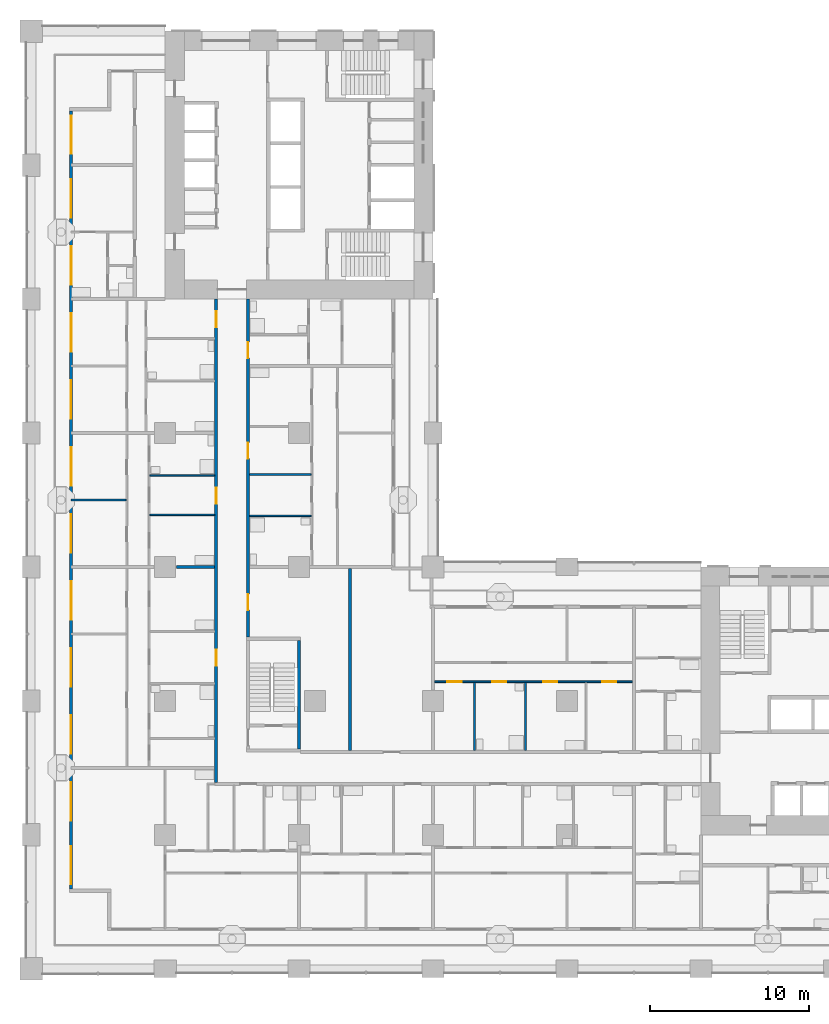
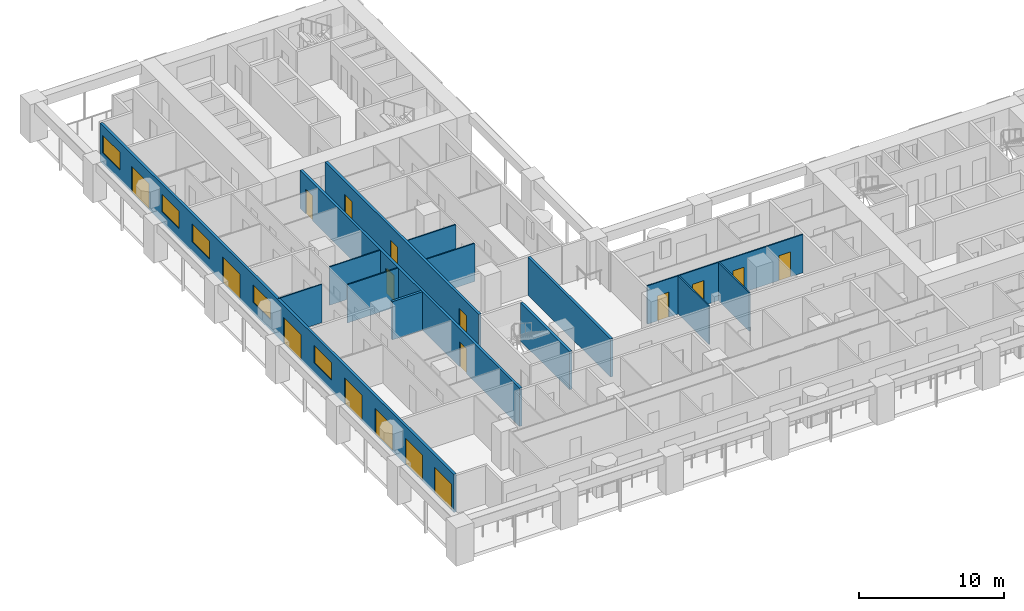
# One storey, part 4 of 22: 17 doors, 14 walls, 5 windows, 22 openings.
"""IFC4 building model written with IfcOpenShell, lengths in metres."""

from ifc_helpers import new_model, si_unit, direction, frame, frame_2d, origin, place, context, subcontext, project, spatial, rectangle, extrude, material, layer, layer_set, type_object, element, fill, save


model = new_model("IFC4")

# Units and contexts
model_context = context("Model", 3, precision=1e-05, world=origin(), true_north=direction((0.0, 1.0)))
body_context = subcontext(model_context, "Body", "Model", "MODEL_VIEW")
ifc_project = project(units=[si_unit("LENGTHUNIT", "METRE"), si_unit("AREAUNIT", "SQUARE_METRE"), si_unit("VOLUMEUNIT", "CUBIC_METRE"), si_unit("PLANEANGLEUNIT", "RADIAN"), si_unit("MASSUNIT", "GRAM", prefix="KILO")], contexts=[model_context])

# Site, building, storey
site_placement = place(None, origin())
site = spatial("IfcSite", under=ifc_project, at=site_placement, CompositionType="ELEMENT")
building_placement = place(site_placement, origin())
building = spatial("IfcBuilding", under=site, at=building_placement, Name="Vermilion Gate Residences", CompositionType="ELEMENT")
storey_placement = place(building_placement, frame((0.0, 0.0, 60.199951171875)))
storey = spatial("IfcBuildingStorey", under=building, at=storey_placement, Name="L14", CompositionType="ELEMENT", Elevation=60.199951171875)

# Wall, openings, doors, windows
ifc_material_1 = material(Name="Insulated steel stud wall with terracotta rainscreen", Category="masonry")
ifc_layer_1 = layer(ifc_material_1, 0.199951171875)
ifc_layer_set_1 = layer_set([ifc_layer_1], Name="EXTERNAL WALL 200 TERRACOTTA RAINSCREEN")
wall_type_1 = type_object("IfcWallType", Name="EXTERNAL WALL 200 TERRACOTTA RAINSCREEN", PredefinedType="SOLIDWALL", material=ifc_layer_set_1)
wall_1_placement = place(storey_placement, frame((2.5, 53.800048828125, 0.0), z_axis=(0.0, 0.0, 1.0), x_axis=(0.0, -1.0, 0.0)))
wall_1 = element("IfcWall", 1, at=wall_1_placement, inside=storey, type_object=wall_type_1, Name="External wall", PredefinedType="SOLIDWALL", context=body_context, shape_type="SweptSolid", body=[
    extrude(rectangle(XDim=48.800048828125, YDim=0.199951171875, at=frame_2d((24.39990234375, 0.0))), origin(), (0.0, 0.0, 1.0), 3.219970703125),
])
opening_1_placement = place(wall_1_placement, frame((46.10009765625, 0.0, 0.0)))
opening_1 = element("IfcOpeningElement", 2, at=opening_1_placement, cuts=wall_1, Name="Opening DE14002", PredefinedType="OPENING", context=body_context, shape_type="SweptSolid", body=[
    extrude(rectangle(XDim=2.39990234375, YDim=2.199951171875, at=frame_2d((1.199951171875, 1.10009765625))), frame((0.0, 0.10986328125, 0.0), z_axis=(0.0, -1.0, 0.0), x_axis=(1.0, 0.0, 0.0)), (0.0, 0.0, 1.0), 0.219970703125),
])
opening_2_placement = place(wall_1_placement, frame((42.10009765625, 0.0, 0.0)))
opening_2 = element("IfcOpeningElement", 3, at=opening_2_placement, cuts=wall_1, Name="Opening DE14003", PredefinedType="OPENING", context=body_context, shape_type="SweptSolid", body=[
    extrude(rectangle(XDim=2.39990234375, YDim=2.199951171875, at=frame_2d((1.199951171875, 1.10009765625))), frame((0.0, 0.10986328125, 0.0), z_axis=(0.0, -1.0, 0.0), x_axis=(1.0, 0.0, 0.0)), (0.0, 0.0, 1.0), 0.219970703125),
])
opening_3_placement = place(wall_1_placement, frame((37.89990234375, 0.0, 0.0)))
opening_3 = element("IfcOpeningElement", 4, at=opening_3_placement, cuts=wall_1, Name="Opening DE14004", PredefinedType="OPENING", context=body_context, shape_type="SweptSolid", body=[
    extrude(rectangle(XDim=2.39990234375, YDim=2.199951171875, at=frame_2d((1.199951171875, 1.10009765625))), frame((0.0, 0.10986328125, 0.0), z_axis=(0.0, -1.0, 0.0), x_axis=(1.0, 0.0, 0.0)), (0.0, 0.0, 1.0), 0.219970703125),
])
opening_4_placement = place(wall_1_placement, frame((33.699951171875, 0.0, 0.0)))
opening_4 = element("IfcOpeningElement", 5, at=opening_4_placement, cuts=wall_1, Name="Opening DE14005", PredefinedType="OPENING", context=body_context, shape_type="SweptSolid", body=[
    extrude(rectangle(XDim=2.39990234375, YDim=2.199951171875, at=frame_2d((1.199951171875, 1.10009765625))), frame((0.0, 0.10986328125, 0.0), z_axis=(0.0, -1.0, 0.0), x_axis=(1.0, 0.0, 0.0)), (0.0, 0.0, 1.0), 0.219970703125),
])
opening_5_placement = place(wall_1_placement, frame((29.5, 0.0, 0.89990234375)))
opening_5 = element("IfcOpeningElement", 6, at=opening_5_placement, cuts=wall_1, Name="Opening WE14006", PredefinedType="OPENING", context=body_context, shape_type="SweptSolid", body=[
    extrude(rectangle(XDim=2.39990234375, YDim=1.5, at=frame_2d((1.199951171875, 0.75))), frame((0.0, 0.10986328125, 0.0), z_axis=(0.0, -1.0, 0.0), x_axis=(1.0, 0.0, 0.0)), (0.0, 0.0, 1.0), 0.219970703125),
])
opening_6_placement = place(wall_1_placement, frame((25.300048828125, 0.0, 0.0)))
opening_6 = element("IfcOpeningElement", 7, at=opening_6_placement, cuts=wall_1, Name="Opening DE14007", PredefinedType="OPENING", context=body_context, shape_type="SweptSolid", body=[
    extrude(rectangle(XDim=2.39990234375, YDim=2.199951171875, at=frame_2d((1.199951171875, 1.10009765625))), frame((0.0, 0.10986328125, 0.0), z_axis=(0.0, -1.0, 0.0), x_axis=(1.0, 0.0, 0.0)), (0.0, 0.0, 1.0), 0.219970703125),
])
opening_7_placement = place(wall_1_placement, frame((21.10009765625, 0.0, 0.89990234375)))
opening_7 = element("IfcOpeningElement", 8, at=opening_7_placement, cuts=wall_1, Name="Opening WE14008", PredefinedType="OPENING", context=body_context, shape_type="SweptSolid", body=[
    extrude(rectangle(XDim=2.39990234375, YDim=1.5, at=frame_2d((1.199951171875, 0.75))), frame((0.0, 0.10986328125, 0.0), z_axis=(0.0, -1.0, 0.0), x_axis=(1.0, 0.0, 0.0)), (0.0, 0.0, 1.0), 0.219970703125),
])
opening_8_placement = place(wall_1_placement, frame((16.89990234375, 0.0, 0.0)))
opening_8 = element("IfcOpeningElement", 9, at=opening_8_placement, cuts=wall_1, Name="Opening DE14009", PredefinedType="OPENING", context=body_context, shape_type="SweptSolid", body=[
    extrude(rectangle(XDim=2.39990234375, YDim=2.199951171875, at=frame_2d((1.199951171875, 1.10009765625))), frame((0.0, 0.10986328125, 0.0), z_axis=(0.0, -1.0, 0.0), x_axis=(1.0, 0.0, 0.0)), (0.0, 0.0, 1.0), 0.219970703125),
])
opening_9_placement = place(wall_1_placement, frame((12.699951171875, 0.0, 0.89990234375)))
opening_9 = element("IfcOpeningElement", 10, at=opening_9_placement, cuts=wall_1, Name="Opening WE14010", PredefinedType="OPENING", context=body_context, shape_type="SweptSolid", body=[
    extrude(rectangle(XDim=2.39990234375, YDim=1.5, at=frame_2d((1.199951171875, 0.75))), frame((0.0, 0.10986328125, 0.0), z_axis=(0.0, -1.0, 0.0), x_axis=(1.0, 0.0, 0.0)), (0.0, 0.0, 1.0), 0.219970703125),
])
opening_10_placement = place(wall_1_placement, frame((8.5, 0.0, 0.89990234375)))
opening_10 = element("IfcOpeningElement", 11, at=opening_10_placement, cuts=wall_1, Name="Opening WE14011", PredefinedType="OPENING", context=body_context, shape_type="SweptSolid", body=[
    extrude(rectangle(XDim=2.39990234375, YDim=1.5, at=frame_2d((1.199951171875, 0.75))), frame((0.0, 0.10986328125, 0.0), z_axis=(0.0, -1.0, 0.0), x_axis=(1.0, 0.0, 0.0)), (0.0, 0.0, 1.0), 0.219970703125),
])
opening_11_placement = place(wall_1_placement, frame((4.300048828125, 0.0, 0.0)))
opening_11 = element("IfcOpeningElement", 12, at=opening_11_placement, cuts=wall_1, Name="Opening DE14012", PredefinedType="OPENING", context=body_context, shape_type="SweptSolid", body=[
    extrude(rectangle(XDim=2.39990234375, YDim=2.199951171875, at=frame_2d((1.199951171875, 1.10009765625))), frame((0.0, 0.10986328125, 0.0), z_axis=(0.0, -1.0, 0.0), x_axis=(1.0, 0.0, 0.0)), (0.0, 0.0, 1.0), 0.219970703125),
])
opening_12_placement = place(wall_1_placement, frame((0.300048828125, 0.0, 0.89990234375)))
opening_12 = element("IfcOpeningElement", 13, at=opening_12_placement, cuts=wall_1, Name="Opening WE14013", PredefinedType="OPENING", context=body_context, shape_type="SweptSolid", body=[
    extrude(rectangle(XDim=2.39990234375, YDim=1.5, at=frame_2d((1.199951171875, 0.75))), frame((0.0, 0.10986328125, 0.0), z_axis=(0.0, -1.0, 0.0), x_axis=(1.0, 0.0, 0.0)), (0.0, 0.0, 1.0), 0.219970703125),
])
ifc_material_2 = material(Name="Aluminium and clear glass", Category="aluminium")
door_type_1 = type_object("IfcDoorType", Name="SLIDING GLAZED DOOR 2400 X 2200", OperationType="DOUBLE_DOOR_SLIDING", PredefinedType="DOOR", material=ifc_material_2)
door_1_placement = place(opening_1_placement, origin())
door_1 = element("IfcDoor", 14, at=door_1_placement, inside=storey, type_object=door_type_1, Name="Loggia sliding door", OperationType="DOUBLE_DOOR_SLIDING", OverallHeight=2.199951171875, OverallWidth=2.39990234375, PredefinedType="DOOR", context=body_context, shape_type="SweptSolid", body=[
    extrude(rectangle(XDim=2.39990234375, YDim=2.199951171875, at=frame_2d((1.199951171875, 1.10009765625))), frame((0.0, 0.02490234375, 0.0), z_axis=(0.0, -1.0, 0.0), x_axis=(1.0, 0.0, 0.0)), (0.0, 0.0, 1.0), 0.050048828125),
])
fill(opening_1, door_1)
door_2_placement = place(opening_2_placement, origin())
door_2 = element("IfcDoor", 15, at=door_2_placement, inside=storey, type_object=door_type_1, Name="Loggia sliding door", OperationType="DOUBLE_DOOR_SLIDING", OverallHeight=2.199951171875, OverallWidth=2.39990234375, PredefinedType="DOOR", context=body_context, shape_type="SweptSolid", body=[
    extrude(rectangle(XDim=2.39990234375, YDim=2.199951171875, at=frame_2d((1.199951171875, 1.10009765625))), frame((0.0, 0.02490234375, 0.0), z_axis=(0.0, -1.0, 0.0), x_axis=(1.0, 0.0, 0.0)), (0.0, 0.0, 1.0), 0.050048828125),
])
fill(opening_2, door_2)
door_3_placement = place(opening_3_placement, origin())
door_3 = element("IfcDoor", 16, at=door_3_placement, inside=storey, type_object=door_type_1, Name="Loggia sliding door", OperationType="DOUBLE_DOOR_SLIDING", OverallHeight=2.199951171875, OverallWidth=2.39990234375, PredefinedType="DOOR", context=body_context, shape_type="SweptSolid", body=[
    extrude(rectangle(XDim=2.39990234375, YDim=2.199951171875, at=frame_2d((1.199951171875, 1.10009765625))), frame((0.0, 0.02490234375, 0.0), z_axis=(0.0, -1.0, 0.0), x_axis=(1.0, 0.0, 0.0)), (0.0, 0.0, 1.0), 0.050048828125),
])
fill(opening_3, door_3)
door_4_placement = place(opening_4_placement, origin())
door_4 = element("IfcDoor", 17, at=door_4_placement, inside=storey, type_object=door_type_1, Name="Loggia sliding door", OperationType="DOUBLE_DOOR_SLIDING", OverallHeight=2.199951171875, OverallWidth=2.39990234375, PredefinedType="DOOR", context=body_context, shape_type="SweptSolid", body=[
    extrude(rectangle(XDim=2.39990234375, YDim=2.199951171875, at=frame_2d((1.199951171875, 1.10009765625))), frame((0.0, 0.02490234375, 0.0), z_axis=(0.0, -1.0, 0.0), x_axis=(1.0, 0.0, 0.0)), (0.0, 0.0, 1.0), 0.050048828125),
])
fill(opening_4, door_4)
door_5_placement = place(opening_6_placement, origin())
door_5 = element("IfcDoor", 18, at=door_5_placement, inside=storey, type_object=door_type_1, Name="Loggia sliding door", OperationType="DOUBLE_DOOR_SLIDING", OverallHeight=2.199951171875, OverallWidth=2.39990234375, PredefinedType="DOOR", context=body_context, shape_type="SweptSolid", body=[
    extrude(rectangle(XDim=2.39990234375, YDim=2.199951171875, at=frame_2d((1.199951171875, 1.10009765625))), frame((0.0, 0.02490234375, 0.0), z_axis=(0.0, -1.0, 0.0), x_axis=(1.0, 0.0, 0.0)), (0.0, 0.0, 1.0), 0.050048828125),
])
fill(opening_6, door_5)
door_6_placement = place(opening_8_placement, origin())
door_6 = element("IfcDoor", 19, at=door_6_placement, inside=storey, type_object=door_type_1, Name="Loggia sliding door", OperationType="DOUBLE_DOOR_SLIDING", OverallHeight=2.199951171875, OverallWidth=2.39990234375, PredefinedType="DOOR", context=body_context, shape_type="SweptSolid", body=[
    extrude(rectangle(XDim=2.39990234375, YDim=2.199951171875, at=frame_2d((1.199951171875, 1.10009765625))), frame((0.0, 0.02490234375, 0.0), z_axis=(0.0, -1.0, 0.0), x_axis=(1.0, 0.0, 0.0)), (0.0, 0.0, 1.0), 0.050048828125),
])
fill(opening_8, door_6)
door_7_placement = place(opening_11_placement, origin())
door_7 = element("IfcDoor", 20, at=door_7_placement, inside=storey, type_object=door_type_1, Name="Loggia sliding door", OperationType="DOUBLE_DOOR_SLIDING", OverallHeight=2.199951171875, OverallWidth=2.39990234375, PredefinedType="DOOR", context=body_context, shape_type="SweptSolid", body=[
    extrude(rectangle(XDim=2.39990234375, YDim=2.199951171875, at=frame_2d((1.199951171875, 1.10009765625))), frame((0.0, 0.02490234375, 0.0), z_axis=(0.0, -1.0, 0.0), x_axis=(1.0, 0.0, 0.0)), (0.0, 0.0, 1.0), 0.050048828125),
])
fill(opening_11, door_7)
ifc_material_3 = material(Name="Aluminium and clear glass", Category="aluminium")
window_type = type_object("IfcWindowType", Name="WINDOW 2400 X 1500", PartitioningType="SINGLE_PANEL", PredefinedType="WINDOW", material=ifc_material_3)
window_1_placement = place(opening_5_placement, origin())
window_1 = element("IfcWindow", 21, at=window_1_placement, inside=storey, type_object=window_type, Name="Window", OverallHeight=1.5, OverallWidth=2.39990234375, PartitioningType="SINGLE_PANEL", PredefinedType="WINDOW", context=body_context, shape_type="SweptSolid", body=[
    extrude(rectangle(XDim=2.39990234375, YDim=1.5, at=frame_2d((1.199951171875, 0.75))), frame((0.0, 0.030029296875, 0.0), z_axis=(0.0, -1.0, 0.0), x_axis=(1.0, 0.0, 0.0)), (0.0, 0.0, 1.0), 0.06005859375),
])
fill(opening_5, window_1)
window_2_placement = place(opening_7_placement, origin())
window_2 = element("IfcWindow", 22, at=window_2_placement, inside=storey, type_object=window_type, Name="Window", OverallHeight=1.5, OverallWidth=2.39990234375, PartitioningType="SINGLE_PANEL", PredefinedType="WINDOW", context=body_context, shape_type="SweptSolid", body=[
    extrude(rectangle(XDim=2.39990234375, YDim=1.5, at=frame_2d((1.199951171875, 0.75))), frame((0.0, 0.030029296875, 0.0), z_axis=(0.0, -1.0, 0.0), x_axis=(1.0, 0.0, 0.0)), (0.0, 0.0, 1.0), 0.06005859375),
])
fill(opening_7, window_2)
window_3_placement = place(opening_9_placement, origin())
window_3 = element("IfcWindow", 23, at=window_3_placement, inside=storey, type_object=window_type, Name="Window", OverallHeight=1.5, OverallWidth=2.39990234375, PartitioningType="SINGLE_PANEL", PredefinedType="WINDOW", context=body_context, shape_type="SweptSolid", body=[
    extrude(rectangle(XDim=2.39990234375, YDim=1.5, at=frame_2d((1.199951171875, 0.75))), frame((0.0, 0.030029296875, 0.0), z_axis=(0.0, -1.0, 0.0), x_axis=(1.0, 0.0, 0.0)), (0.0, 0.0, 1.0), 0.06005859375),
])
fill(opening_9, window_3)
window_4_placement = place(opening_10_placement, origin())
window_4 = element("IfcWindow", 24, at=window_4_placement, inside=storey, type_object=window_type, Name="Window", OverallHeight=1.5, OverallWidth=2.39990234375, PartitioningType="SINGLE_PANEL", PredefinedType="WINDOW", context=body_context, shape_type="SweptSolid", body=[
    extrude(rectangle(XDim=2.39990234375, YDim=1.5, at=frame_2d((1.199951171875, 0.75))), frame((0.0, 0.030029296875, 0.0), z_axis=(0.0, -1.0, 0.0), x_axis=(1.0, 0.0, 0.0)), (0.0, 0.0, 1.0), 0.06005859375),
])
fill(opening_10, window_4)
window_5_placement = place(opening_12_placement, origin())
window_5 = element("IfcWindow", 25, at=window_5_placement, inside=storey, type_object=window_type, Name="Window", OverallHeight=1.5, OverallWidth=2.39990234375, PartitioningType="SINGLE_PANEL", PredefinedType="WINDOW", context=body_context, shape_type="SweptSolid", body=[
    extrude(rectangle(XDim=2.39990234375, YDim=1.5, at=frame_2d((1.199951171875, 0.75))), frame((0.0, 0.030029296875, 0.0), z_axis=(0.0, -1.0, 0.0), x_axis=(1.0, 0.0, 0.0)), (0.0, 0.0, 1.0), 0.06005859375),
])
fill(opening_12, window_5)

# Wall, openings, doors
ifc_material_4 = material(Name="Plasterboard on steel studs", Category="steel")
ifc_layer_2 = layer(ifc_material_4, 0.10009765625)
ifc_layer_set_2 = layer_set([ifc_layer_2], Name="PARTITION 100")
wall_type_2 = type_object("IfcWallType", Name="PARTITION 100", PredefinedType="PARTITIONING", material=ifc_layer_set_2)
wall_2_placement = place(storey_placement, frame((25.300048828125, 18.0, 0.0), z_axis=(0.0, 0.0, 1.0), x_axis=(1.0, 0.0, 0.0)))
wall_2 = element("IfcWall", 26, at=wall_2_placement, inside=storey, type_object=wall_type_2, Name="Partition", PredefinedType="PARTITIONING", context=body_context, shape_type="SweptSolid", body=[
    extrude(rectangle(XDim=12.39990234375, YDim=0.10009765625, at=frame_2d((6.199951171875, 0.0))), origin(), (0.0, 0.0, 1.0), 3.219970703125),
])
opening_13_placement = place(wall_2_placement, frame((10.5, 0.0, 0.0)))
opening_13 = element("IfcOpeningElement", 27, at=opening_13_placement, cuts=wall_2, Name="Opening DA13037", PredefinedType="OPENING", context=body_context, shape_type="SweptSolid", body=[
    extrude(rectangle(XDim=0.89990234375, YDim=2.10009765625, at=frame_2d((0.449951171875, 1.050048828125))), frame((0.0, 0.06005859375, 0.0), z_axis=(0.0, -1.0, 0.0), x_axis=(1.0, 0.0, 0.0)), (0.0, 0.0, 1.0), 0.1201171875),
])
opening_14_placement = place(wall_2_placement, frame((0.800048828125, 0.0, 0.0)))
opening_14 = element("IfcOpeningElement", 28, at=opening_14_placement, cuts=wall_2, Name="Opening DA13038", PredefinedType="OPENING", context=body_context, shape_type="SweptSolid", body=[
    extrude(rectangle(XDim=0.89990234375, YDim=2.10009765625, at=frame_2d((0.449951171875, 1.050048828125))), frame((0.0, 0.06005859375, 0.0), z_axis=(0.0, -1.0, 0.0), x_axis=(1.0, 0.0, 0.0)), (0.0, 0.0, 1.0), 0.1201171875),
])
opening_15_placement = place(wall_2_placement, frame((3.60009765625, 0.0, 0.0)))
opening_15 = element("IfcOpeningElement", 29, at=opening_15_placement, cuts=wall_2, Name="Opening DA13039", PredefinedType="OPENING", context=body_context, shape_type="SweptSolid", body=[
    extrude(rectangle(XDim=0.89990234375, YDim=2.10009765625, at=frame_2d((0.449951171875, 1.050048828125))), frame((0.0, 0.06005859375, 0.0), z_axis=(0.0, -1.0, 0.0), x_axis=(1.0, 0.0, 0.0)), (0.0, 0.0, 1.0), 0.1201171875),
])
opening_16_placement = place(wall_2_placement, frame((6.800048828125, 0.0, 0.0)))
opening_16 = element("IfcOpeningElement", 30, at=opening_16_placement, cuts=wall_2, Name="Opening DA13040", PredefinedType="OPENING", context=body_context, shape_type="SweptSolid", body=[
    extrude(rectangle(XDim=0.89990234375, YDim=2.10009765625, at=frame_2d((0.449951171875, 1.050048828125))), frame((0.0, 0.06005859375, 0.0), z_axis=(0.0, -1.0, 0.0), x_axis=(1.0, 0.0, 0.0)), (0.0, 0.0, 1.0), 0.1201171875),
])
ifc_material_5 = material(Name="Timber", Category="wood")
door_type_2 = type_object("IfcDoorType", Name="INTERIOR DOOR 900 X 2100", OperationType="SINGLE_SWING_LEFT", PredefinedType="DOOR", material=ifc_material_5)
door_8_placement = place(opening_13_placement, frame((0.89990234375, 0.0, 0.0), z_axis=(0.0, 0.0, 1.0), x_axis=(-1.0, 0.0, 0.0)))
door_8 = element("IfcDoor", 31, at=door_8_placement, inside=storey, type_object=door_type_2, Name="Interior door", OperationType="SINGLE_SWING_RIGHT", OverallHeight=2.10009765625, OverallWidth=0.89990234375, PredefinedType="DOOR", context=body_context, shape_type="SweptSolid", body=[
    extrude(rectangle(XDim=0.89990234375, YDim=2.10009765625, at=frame_2d((0.449951171875, 1.050048828125))), frame((0.0, 0.02490234375, 0.0), z_axis=(0.0, -1.0, 0.0), x_axis=(1.0, 0.0, 0.0)), (0.0, 0.0, 1.0), 0.050048828125),
])
fill(opening_13, door_8)
door_9_placement = place(opening_14_placement, frame((0.89990234375, 0.0, 0.0), z_axis=(0.0, 0.0, 1.0), x_axis=(-1.0, 0.0, 0.0)))
door_9 = element("IfcDoor", 32, at=door_9_placement, inside=storey, type_object=door_type_2, Name="Interior door", OperationType="SINGLE_SWING_LEFT", OverallHeight=2.10009765625, OverallWidth=0.89990234375, PredefinedType="DOOR", context=body_context, shape_type="SweptSolid", body=[
    extrude(rectangle(XDim=0.89990234375, YDim=2.10009765625, at=frame_2d((0.449951171875, 1.050048828125))), frame((0.0, 0.02490234375, 0.0), z_axis=(0.0, -1.0, 0.0), x_axis=(1.0, 0.0, 0.0)), (0.0, 0.0, 1.0), 0.050048828125),
])
fill(opening_14, door_9)
door_10_placement = place(opening_15_placement, frame((0.89990234375, 0.0, 0.0), z_axis=(0.0, 0.0, 1.0), x_axis=(-1.0, 0.0, 0.0)))
door_10 = element("IfcDoor", 33, at=door_10_placement, inside=storey, type_object=door_type_2, Name="Interior door", OperationType="SINGLE_SWING_LEFT", OverallHeight=2.10009765625, OverallWidth=0.89990234375, PredefinedType="DOOR", context=body_context, shape_type="SweptSolid", body=[
    extrude(rectangle(XDim=0.89990234375, YDim=2.10009765625, at=frame_2d((0.449951171875, 1.050048828125))), frame((0.0, 0.02490234375, 0.0), z_axis=(0.0, -1.0, 0.0), x_axis=(1.0, 0.0, 0.0)), (0.0, 0.0, 1.0), 0.050048828125),
])
fill(opening_15, door_10)
door_11_placement = place(opening_16_placement, frame((0.89990234375, 0.0, 0.0), z_axis=(0.0, 0.0, 1.0), x_axis=(-1.0, 0.0, 0.0)))
door_11 = element("IfcDoor", 34, at=door_11_placement, inside=storey, type_object=door_type_2, Name="Interior door", OperationType="SINGLE_SWING_RIGHT", OverallHeight=2.10009765625, OverallWidth=0.89990234375, PredefinedType="DOOR", context=body_context, shape_type="SweptSolid", body=[
    extrude(rectangle(XDim=0.89990234375, YDim=2.10009765625, at=frame_2d((0.449951171875, 1.050048828125))), frame((0.0, 0.02490234375, 0.0), z_axis=(0.0, -1.0, 0.0), x_axis=(1.0, 0.0, 0.0)), (0.0, 0.0, 1.0), 0.050048828125),
])
fill(opening_16, door_11)

# Walls
wall_3_placement = place(storey_placement, frame((13.699951171875, 28.39990234375, 0.0), z_axis=(0.0, 0.0, 1.0), x_axis=(1.0, 0.0, 0.0)))
element("IfcWall", 35, at=wall_3_placement, inside=storey, type_object=wall_type_2, Name="Partition", PredefinedType="PARTITIONING", context=body_context, shape_type="SweptSolid", body=[
    extrude(rectangle(XDim=3.85009765625, YDim=0.10009765625, at=frame_2d((1.925048828125, 0.0))), origin(), (0.0, 0.0, 1.0), 3.219970703125),
])
wall_4_placement = place(storey_placement, frame((7.449951171875, 28.467041015625, 0.0), z_axis=(0.0, 0.0, 1.0), x_axis=(1.0, 0.0, 0.0)))
element("IfcWall", 36, at=wall_4_placement, inside=storey, type_object=wall_type_2, Name="Partition", PredefinedType="PARTITIONING", context=body_context, shape_type="SweptSolid", body=[
    extrude(rectangle(XDim=4.050048828125, YDim=0.10009765625, at=frame_2d((2.02490234375, 0.0))), origin(), (0.0, 0.0, 1.0), 3.219970703125),
])
wall_5_placement = place(storey_placement, frame((2.5, 29.39990234375, 0.0), z_axis=(0.0, 0.0, 1.0), x_axis=(1.0, 0.0, 0.0)))
element("IfcWall", 37, at=wall_5_placement, inside=storey, type_object=wall_type_2, Name="Partition", PredefinedType="PARTITIONING", context=body_context, shape_type="SweptSolid", body=[
    extrude(rectangle(XDim=3.449951171875, YDim=0.10009765625, at=frame_2d((1.72509765625, 0.0))), origin(), (0.0, 0.0, 1.0), 3.219970703125),
])
wall_6_placement = place(storey_placement, frame((7.449951171875, 30.93310546875, 0.0), z_axis=(0.0, 0.0, 1.0), x_axis=(1.0, 0.0, 0.0)))
element("IfcWall", 38, at=wall_6_placement, inside=storey, type_object=wall_type_2, Name="Partition", PredefinedType="PARTITIONING", context=body_context, shape_type="SweptSolid", body=[
    extrude(rectangle(XDim=4.050048828125, YDim=0.10009765625, at=frame_2d((2.02490234375, 0.0))), origin(), (0.0, 0.0, 1.0), 3.219970703125),
])
wall_7_placement = place(storey_placement, frame((13.699951171875, 31.0, 0.0), z_axis=(0.0, 0.0, 1.0), x_axis=(1.0, 0.0, 0.0)))
element("IfcWall", 39, at=wall_7_placement, inside=storey, type_object=wall_type_2, Name="Partition", PredefinedType="PARTITIONING", context=body_context, shape_type="SweptSolid", body=[
    extrude(rectangle(XDim=3.85009765625, YDim=0.10009765625, at=frame_2d((1.925048828125, 0.0))), origin(), (0.0, 0.0, 1.0), 3.219970703125),
])
for number, where, z_axis, x_axis, name in (
    (40, (27.800048828125, 13.699951171875, 0.0), (0.0, 0.0, 1.0), (0.0, 1.0, 0.0), "Partition"),
    (41, (31.0, 13.699951171875, 0.0), (0.0, 0.0, 1.0), (0.0, 1.0, 0.0), "Partition"),
):
    element("IfcWall", number, at=place(storey_placement, frame(where, z_axis=z_axis, x_axis=x_axis)), inside=storey, type_object=wall_type_2, Name=name, PredefinedType="PARTITIONING", context=body_context, shape_type="SweptSolid", body=[
        extrude(rectangle(XDim=4.25, YDim=0.10009765625, at=frame_2d((2.125, 0.0))), origin(), (0.0, 0.0, 1.0), 3.219970703125),
    ])
ifc_material_6 = material(Name="Fire-rated plasterboard on steel studs", Category="steel")
ifc_layer_3 = layer(ifc_material_6, 0.199951171875)
ifc_layer_set_3 = layer_set([ifc_layer_3], Name="PARTY WALL 200 EI 120")
wall_type_3 = type_object("IfcWallType", Name="PARTY WALL 200 EI 120", PredefinedType="PARTITIONING", material=ifc_layer_set_3)
wall_8_placement = place(storey_placement, frame((9.10009765625, 25.199951171875, 0.0), z_axis=(0.0, 0.0, 1.0), x_axis=(1.0, 0.0, 0.0)))
element("IfcWall", 42, at=wall_8_placement, inside=storey, type_object=wall_type_3, Name="Party and corridor wall", PredefinedType="PARTITIONING", context=body_context, shape_type="SweptSolid", body=[
    extrude(rectangle(XDim=2.39990234375, YDim=0.199951171875, at=frame_2d((1.199951171875, 0.0))), origin(), (0.0, 0.0, 1.0), 3.219970703125),
])

# Wall, openings, doors
wall_9_placement = place(storey_placement, frame((11.60009765625, 11.699951171875, 0.0), z_axis=(0.0, 0.0, 1.0), x_axis=(0.0, 1.0, 0.0)))
wall_9 = element("IfcWall", 43, at=wall_9_placement, inside=storey, type_object=wall_type_3, Name="Party and corridor wall", PredefinedType="PARTITIONING", context=body_context, shape_type="SweptSolid", body=[
    extrude(rectangle(XDim=30.300048828125, YDim=0.199951171875, at=frame_2d((15.14990234375, 0.0))), origin(), (0.0, 0.0, 1.0), 3.219970703125),
])
opening_17_placement = place(wall_9_placement, frame((7.300048828125, 0.0, 0.0)))
opening_17 = element("IfcOpeningElement", 44, at=opening_17_placement, cuts=wall_9, Name="Opening DA13066", PredefinedType="OPENING", context=body_context, shape_type="SweptSolid", body=[
    extrude(rectangle(XDim=1.0, YDim=2.10009765625, at=frame_2d((0.5, 1.050048828125))), frame((0.0, 0.10986328125, 0.0), z_axis=(0.0, -1.0, 0.0), x_axis=(1.0, 0.0, 0.0)), (0.0, 0.0, 1.0), 0.219970703125),
])
opening_18_placement = place(wall_9_placement, frame((17.467041015625, 0.0, 0.0)))
opening_18 = element("IfcOpeningElement", 45, at=opening_18_placement, cuts=wall_9, Name="Opening DA13067", PredefinedType="OPENING", context=body_context, shape_type="SweptSolid", body=[
    extrude(rectangle(XDim=1.0, YDim=2.10009765625, at=frame_2d((0.5, 1.050048828125))), frame((0.0, 0.10986328125, 0.0), z_axis=(0.0, -1.0, 0.0), x_axis=(1.0, 0.0, 0.0)), (0.0, 0.0, 1.0), 0.219970703125),
])
opening_19_placement = place(wall_9_placement, frame((28.532958984375, 0.0, 0.0)))
opening_19 = element("IfcOpeningElement", 46, at=opening_19_placement, cuts=wall_9, Name="Opening DA13068", PredefinedType="OPENING", context=body_context, shape_type="SweptSolid", body=[
    extrude(rectangle(XDim=1.0, YDim=2.10009765625, at=frame_2d((0.5, 1.050048828125))), frame((0.0, 0.10986328125, 0.0), z_axis=(0.0, -1.0, 0.0), x_axis=(1.0, 0.0, 0.0)), (0.0, 0.0, 1.0), 0.219970703125),
])
ifc_material_7 = material(Name="Steel", Category="steel")
door_type_3 = type_object("IfcDoorType", Name="ENTRANCE DOOR 1000 X 2100 FD30", OperationType="SINGLE_SWING_LEFT", PredefinedType="DOOR", material=ifc_material_7)
door_12_placement = place(opening_17_placement, origin())
door_12 = element("IfcDoor", 47, at=door_12_placement, inside=storey, type_object=door_type_3, Name="Entrance door", OperationType="SINGLE_SWING_LEFT", OverallHeight=2.10009765625, OverallWidth=1.0, PredefinedType="DOOR", context=body_context, shape_type="SweptSolid", body=[
    extrude(rectangle(XDim=1.0, YDim=2.10009765625, at=frame_2d((0.5, 1.050048828125))), frame((0.0, 0.02490234375, 0.0), z_axis=(0.0, -1.0, 0.0), x_axis=(1.0, 0.0, 0.0)), (0.0, 0.0, 1.0), 0.050048828125),
])
fill(opening_17, door_12)
door_13_placement = place(opening_18_placement, origin())
door_13 = element("IfcDoor", 48, at=door_13_placement, inside=storey, type_object=door_type_3, Name="Entrance door", OperationType="SINGLE_SWING_LEFT", OverallHeight=2.10009765625, OverallWidth=1.0, PredefinedType="DOOR", context=body_context, shape_type="SweptSolid", body=[
    extrude(rectangle(XDim=1.0, YDim=2.10009765625, at=frame_2d((0.5, 1.050048828125))), frame((0.0, 0.02490234375, 0.0), z_axis=(0.0, -1.0, 0.0), x_axis=(1.0, 0.0, 0.0)), (0.0, 0.0, 1.0), 0.050048828125),
])
fill(opening_18, door_13)
door_14_placement = place(opening_19_placement, origin())
door_14 = element("IfcDoor", 49, at=door_14_placement, inside=storey, type_object=door_type_3, Name="Entrance door", OperationType="SINGLE_SWING_LEFT", OverallHeight=2.10009765625, OverallWidth=1.0, PredefinedType="DOOR", context=body_context, shape_type="SweptSolid", body=[
    extrude(rectangle(XDim=1.0, YDim=2.10009765625, at=frame_2d((0.5, 1.050048828125))), frame((0.0, 0.02490234375, 0.0), z_axis=(0.0, -1.0, 0.0), x_axis=(1.0, 0.0, 0.0)), (0.0, 0.0, 1.0), 0.050048828125),
])
fill(opening_19, door_14)

wall_10_placement = place(storey_placement, frame((13.60009765625, 20.800048828125, 0.0), z_axis=(0.0, 0.0, 1.0), x_axis=(0.0, 1.0, 0.0)))
wall_10 = element("IfcWall", 50, at=wall_10_placement, inside=storey, type_object=wall_type_3, Name="Party and corridor wall", PredefinedType="PARTITIONING", context=body_context, shape_type="SweptSolid", body=[
    extrude(rectangle(XDim=21.199951171875, YDim=0.199951171875, at=frame_2d((10.60009765625, 0.0))), origin(), (0.0, 0.0, 1.0), 3.219970703125),
])
opening_20_placement = place(wall_10_placement, frame((11.199951171875, 0.0, 0.0)))
opening_20 = element("IfcOpeningElement", 51, at=opening_20_placement, cuts=wall_10, Name="Opening DA13069", PredefinedType="OPENING", context=body_context, shape_type="SweptSolid", body=[
    extrude(rectangle(XDim=1.0, YDim=2.10009765625, at=frame_2d((0.5, 1.050048828125))), frame((0.0, 0.10986328125, 0.0), z_axis=(0.0, -1.0, 0.0), x_axis=(1.0, 0.0, 0.0)), (0.0, 0.0, 1.0), 0.219970703125),
])
opening_21_placement = place(wall_10_placement, frame((17.5, 0.0, 0.0)))
opening_21 = element("IfcOpeningElement", 52, at=opening_21_placement, cuts=wall_10, Name="Opening DA13070", PredefinedType="OPENING", context=body_context, shape_type="SweptSolid", body=[
    extrude(rectangle(XDim=1.0, YDim=2.10009765625, at=frame_2d((0.5, 1.050048828125))), frame((0.0, 0.10986328125, 0.0), z_axis=(0.0, -1.0, 0.0), x_axis=(1.0, 0.0, 0.0)), (0.0, 0.0, 1.0), 0.219970703125),
])
opening_22_placement = place(wall_10_placement, frame((1.699951171875, 0.0, 0.0)))
opening_22 = element("IfcOpeningElement", 53, at=opening_22_placement, cuts=wall_10, Name="Opening DA13071", PredefinedType="OPENING", context=body_context, shape_type="SweptSolid", body=[
    extrude(rectangle(XDim=1.0, YDim=2.10009765625, at=frame_2d((0.5, 1.050048828125))), frame((0.0, 0.10986328125, 0.0), z_axis=(0.0, -1.0, 0.0), x_axis=(1.0, 0.0, 0.0)), (0.0, 0.0, 1.0), 0.219970703125),
])
door_15_placement = place(opening_20_placement, frame((1.0, 0.0, 0.0), z_axis=(0.0, 0.0, 1.0), x_axis=(-1.0, 0.0, 0.0)))
door_15 = element("IfcDoor", 54, at=door_15_placement, inside=storey, type_object=door_type_3, Name="Entrance door", OperationType="SINGLE_SWING_RIGHT", OverallHeight=2.10009765625, OverallWidth=1.0, PredefinedType="DOOR", context=body_context, shape_type="SweptSolid", body=[
    extrude(rectangle(XDim=1.0, YDim=2.10009765625, at=frame_2d((0.5, 1.050048828125))), frame((0.0, 0.02490234375, 0.0), z_axis=(0.0, -1.0, 0.0), x_axis=(1.0, 0.0, 0.0)), (0.0, 0.0, 1.0), 0.050048828125),
])
fill(opening_20, door_15)
door_16_placement = place(opening_21_placement, frame((1.0, 0.0, 0.0), z_axis=(0.0, 0.0, 1.0), x_axis=(-1.0, 0.0, 0.0)))
door_16 = element("IfcDoor", 55, at=door_16_placement, inside=storey, type_object=door_type_3, Name="Entrance door", OperationType="SINGLE_SWING_RIGHT", OverallHeight=2.10009765625, OverallWidth=1.0, PredefinedType="DOOR", context=body_context, shape_type="SweptSolid", body=[
    extrude(rectangle(XDim=1.0, YDim=2.10009765625, at=frame_2d((0.5, 1.050048828125))), frame((0.0, 0.02490234375, 0.0), z_axis=(0.0, -1.0, 0.0), x_axis=(1.0, 0.0, 0.0)), (0.0, 0.0, 1.0), 0.050048828125),
])
fill(opening_21, door_16)
door_17_placement = place(opening_22_placement, frame((1.0, 0.0, 0.0), z_axis=(0.0, 0.0, 1.0), x_axis=(-1.0, 0.0, 0.0)))
door_17 = element("IfcDoor", 56, at=door_17_placement, inside=storey, type_object=door_type_3, Name="Entrance door", OperationType="SINGLE_SWING_LEFT", OverallHeight=2.10009765625, OverallWidth=1.0, PredefinedType="DOOR", context=body_context, shape_type="SweptSolid", body=[
    extrude(rectangle(XDim=1.0, YDim=2.10009765625, at=frame_2d((0.5, 1.050048828125))), frame((0.0, 0.02490234375, 0.0), z_axis=(0.0, -1.0, 0.0), x_axis=(1.0, 0.0, 0.0)), (0.0, 0.0, 1.0), 0.050048828125),
])
fill(opening_22, door_17)

# Walls
wall_11_placement = place(storey_placement, frame((20.0, 13.699951171875, 0.0), z_axis=(0.0, 0.0, 1.0), x_axis=(0.0, 1.0, 0.0)))
element("IfcWall", 57, at=wall_11_placement, inside=storey, type_object=wall_type_3, Name="Party and corridor wall", PredefinedType="PARTITIONING", context=body_context, shape_type="SweptSolid", body=[
    extrude(rectangle(XDim=11.400146484375, YDim=0.199951171875, at=frame_2d((5.7001953125, 0.0))), origin(), (0.0, 0.0, 1.0), 3.219970703125),
])
ifc_material_8 = material(Name="Concrete C60", Category="concrete")
ifc_layer_4 = layer(ifc_material_8, 0.199951171875)
ifc_layer_set_4 = layer_set([ifc_layer_4], Name="RC CORE INTERNAL WALL 200 C60")
wall_type_4 = type_object("IfcWallType", Name="RC CORE INTERNAL WALL 200 C60", PredefinedType="SHEAR", material=ifc_layer_set_4)
wall_12_placement = place(storey_placement, frame((16.800048828125, 13.800048828125, 0.0), z_axis=(0.0, 0.0, 1.0), x_axis=(0.0, 1.0, 0.0)))
element("IfcWall", 58, at=wall_12_placement, inside=storey, type_object=wall_type_4, Name="Core internal wall C14-E", PredefinedType="SHEAR", context=body_context, shape_type="SweptSolid", body=[
    extrude(rectangle(XDim=6.800048828125, YDim=0.199951171875, at=frame_2d((3.39990234375, 0.0))), origin(), (0.0, 0.0, 1.0), 3.219970703125),
])

save(model, "model.ifc")
